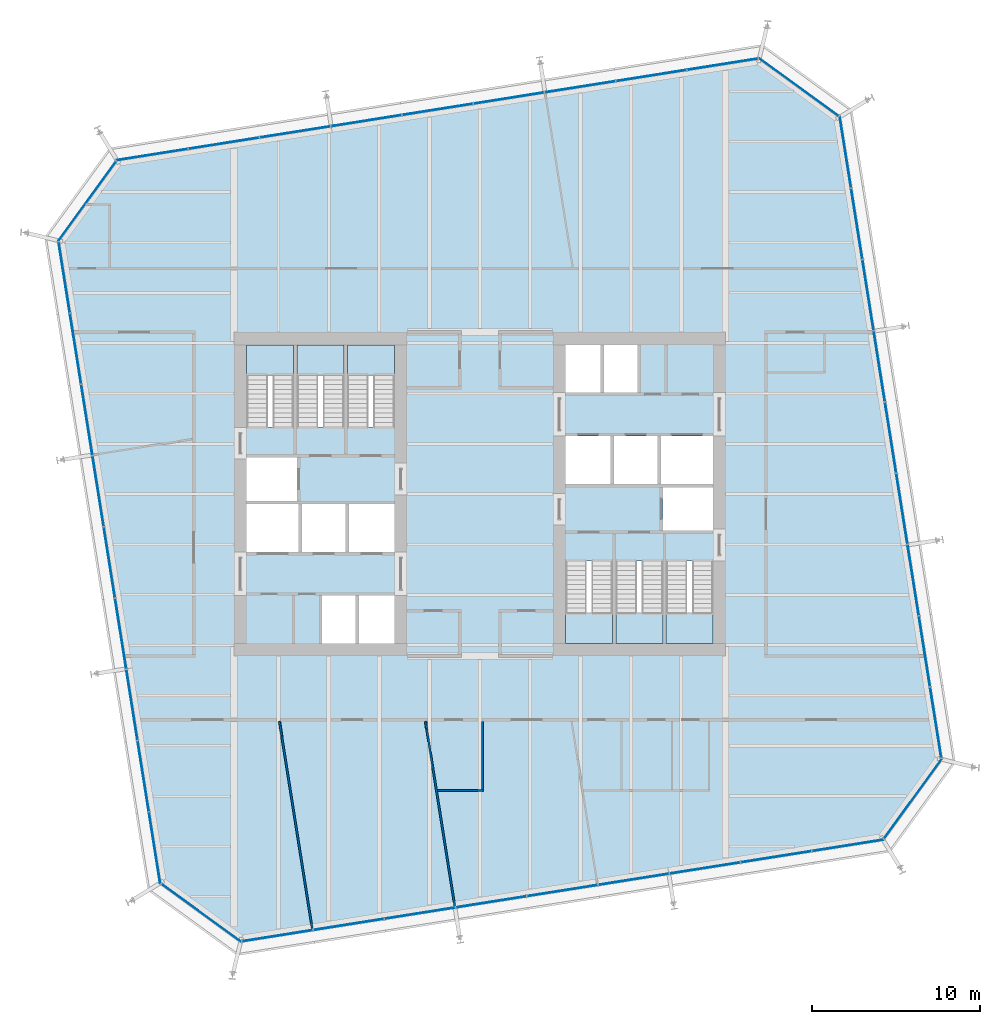
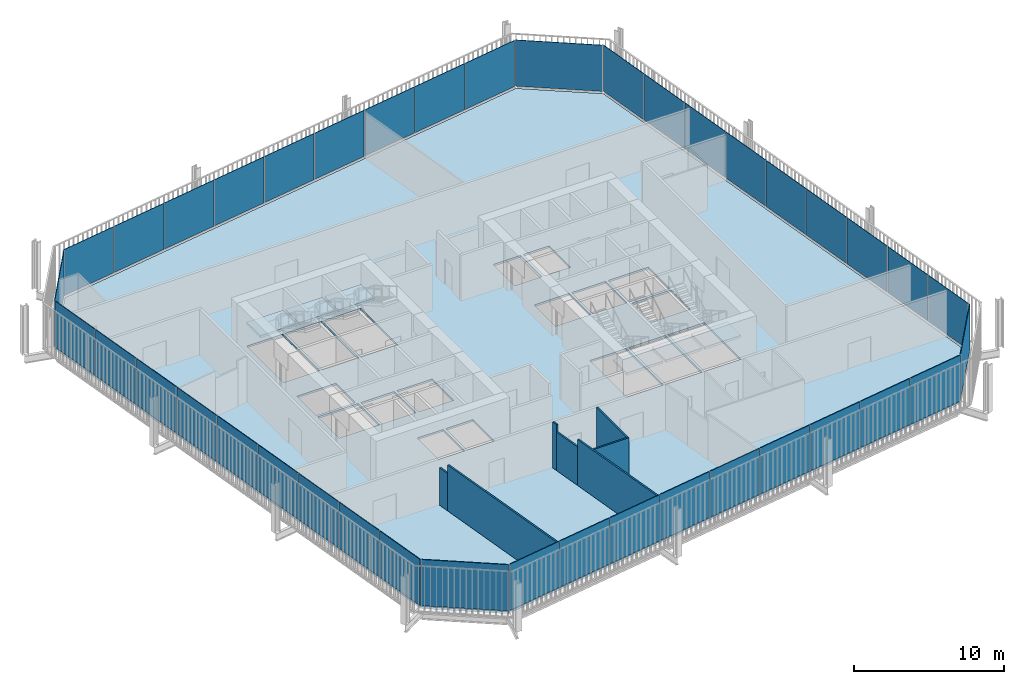
# One storey, part 16 of 21: 40 plates, 7 slabs, 7 walls, 14 elements without a shape of their own.
"""IFC4 building model written with IfcOpenShell, lengths in metres."""

from ifc_helpers import new_model, si_unit, direction, frame, frame_2d, origin, place, context, subcontext, project, spatial, polyline, rectangle, outline, extrude, material, layer, layer_set, type_object, element, aggregate, save


model = new_model("IFC4")

# Units and contexts
model_context = context("Model", 3, precision=1e-05, world=origin(), true_north=direction((0.0, 1.0)))
body_context = subcontext(model_context, "Body", "Model", "MODEL_VIEW")
ifc_project = project(units=[si_unit("LENGTHUNIT", "METRE"), si_unit("AREAUNIT", "SQUARE_METRE"), si_unit("VOLUMEUNIT", "CUBIC_METRE"), si_unit("PLANEANGLEUNIT", "RADIAN"), si_unit("MASSUNIT", "GRAM", prefix="KILO")], contexts=[model_context])

# Site, building, storey
site_placement = place(None, origin())
site = spatial("IfcSite", under=ifc_project, at=site_placement, CompositionType="ELEMENT")
building_placement = place(site_placement, origin())
building = spatial("IfcBuilding", under=site, at=building_placement, Name="Millrace Tower", CompositionType="ELEMENT")
storey_placement = place(building_placement, frame((0.0, 0.0, 141.199951171875)))
storey = spatial("IfcBuildingStorey", under=building, at=storey_placement, Name="L31", CompositionType="ELEMENT", Elevation=141.199951171875)

# Curtain wall, plate
ifc_material_1 = material(Name="Aluminium and glass", Category="aluminium")
ifc_layer_1 = layer(ifc_material_1, 0.14990234375)
ifc_layer_set_1 = layer_set([ifc_layer_1], Name="Aluminium and glass")
curtain_wall_type = type_object("IfcCurtainWallType", Name="CW-1 office vision curtain wall", PredefinedType="NOTDEFINED", material=ifc_layer_set_1)
placement_1 = place(storey_placement, origin())
curtain_wall_1 = element("IfcCurtainWall", 1, at=placement_1, inside=storey, type_object=curtain_wall_type, Name="Curtain wall C-F01 L31", PredefinedType="NOTDEFINED")
ifc_material_2 = material(Name="Glass", Category="glass")
ifc_layer_2 = layer(ifc_material_2, 0.0439453125)
ifc_layer_set_2 = layer_set([ifc_layer_2], Name="Glass")
plate_type = type_object("IfcPlateType", Name="CW-1 office vision curtain wall triple-glazed vision panel", PredefinedType="CURTAIN_PANEL", material=ifc_layer_set_2)
placement_2 = place(storey_placement, frame((0.0, 0.0, 0.14013671875)))
plate_1 = element("IfcPlate", 2, at=placement_2, type_object=plate_type, Name="CW1 panel C-F01.1", PredefinedType="CURTAIN_PANEL", context=body_context, shape_type="SweptSolid", body=[
    extrude(outline(polyline([(-18.988037109375, -23.254638671875), (-14.260009765625, -26.689697265625), (-14.2490234375, -26.6435546875), (-18.962158203125, -23.218994140625), (-18.988037109375, -23.254638671875)])), origin(), (0.0, 0.0, 1.0), 3.760009765625),
])
aggregate(curtain_wall_1, [plate_1])

# Curtain wall, plates
curtain_wall_2 = element("IfcCurtainWall", 3, at=placement_1, inside=storey, type_object=curtain_wall_type, Name="Curtain wall C-F02 L31", PredefinedType="NOTDEFINED")
plate_2 = element("IfcPlate", 4, at=placement_2, type_object=plate_type, Name="CW1 panel C-F02.1", PredefinedType="CURTAIN_PANEL", context=body_context, shape_type="SweptSolid", body=[
    extrude(outline(polyline([(-14.15625, -26.67333984375), (-9.973388671875, -26.0107421875), (-9.980224609375, -25.96728515625), (-14.1630859375, -26.6298828125), (-14.15625, -26.67333984375)])), origin(), (0.0, 0.0, 1.0), 3.760009765625),
])
plate_3 = element("IfcPlate", 5, at=placement_2, type_object=plate_type, Name="CW1 panel C-F02.2", PredefinedType="CURTAIN_PANEL", context=body_context, shape_type="SweptSolid", body=[
    extrude(outline(polyline([(-9.9091796875, -26.000732421875), (-5.726318359375, -25.338134765625), (-5.733154296875, -25.294677734375), (-9.916015625, -25.957275390625), (-9.9091796875, -26.000732421875)])), origin(), (0.0, 0.0, 1.0), 3.760009765625),
])
plate_4 = element("IfcPlate", 6, at=placement_2, type_object=plate_type, Name="CW1 panel C-F02.3", PredefinedType="CURTAIN_PANEL", context=body_context, shape_type="SweptSolid", body=[
    extrude(outline(polyline([(-5.662109375, -25.327880859375), (-1.479248046875, -24.66552734375), (-1.486083984375, -24.6220703125), (-5.6689453125, -25.284423828125), (-5.662109375, -25.327880859375)])), origin(), (0.0, 0.0, 1.0), 3.760009765625),
])
plate_5 = element("IfcPlate", 7, at=placement_2, type_object=plate_type, Name="CW1 panel C-F02.4", PredefinedType="CURTAIN_PANEL", context=body_context, shape_type="SweptSolid", body=[
    extrude(outline(polyline([(-1.4150390625, -24.6552734375), (2.767822265625, -23.992919921875), (2.760986328125, -23.949462890625), (-1.421875, -24.61181640625), (-1.4150390625, -24.6552734375)])), origin(), (0.0, 0.0, 1.0), 3.760009765625),
])
plate_6 = element("IfcPlate", 8, at=placement_2, type_object=plate_type, Name="CW1 panel C-F02.5", PredefinedType="CURTAIN_PANEL", context=body_context, shape_type="SweptSolid", body=[
    extrude(outline(polyline([(2.83203125, -23.982666015625), (7.014892578125, -23.320068359375), (7.008056640625, -23.276611328125), (2.8251953125, -23.939208984375), (2.83203125, -23.982666015625)])), origin(), (0.0, 0.0, 1.0), 3.760009765625),
])
plate_7 = element("IfcPlate", 9, at=placement_2, type_object=plate_type, Name="CW1 panel C-F02.6", PredefinedType="CURTAIN_PANEL", context=body_context, shape_type="SweptSolid", body=[
    extrude(outline(polyline([(7.0791015625, -23.31005859375), (11.261962890625, -22.6474609375), (11.255126953125, -22.60400390625), (7.072265625, -23.2666015625), (7.0791015625, -23.31005859375)])), origin(), (0.0, 0.0, 1.0), 3.760009765625),
])
plate_8 = element("IfcPlate", 10, at=placement_2, type_object=plate_type, Name="CW1 panel C-F02.7", PredefinedType="CURTAIN_PANEL", context=body_context, shape_type="SweptSolid", body=[
    extrude(outline(polyline([(11.326171875, -22.63720703125), (15.509033203125, -21.974853515625), (15.502197265625, -21.931396484375), (11.3193359375, -22.59375), (11.326171875, -22.63720703125)])), origin(), (0.0, 0.0, 1.0), 3.760009765625),
])
plate_9 = element("IfcPlate", 11, at=placement_2, type_object=plate_type, Name="CW1 panel C-F02.8", PredefinedType="CURTAIN_PANEL", context=body_context, shape_type="SweptSolid", body=[
    extrude(outline(polyline([(15.5732421875, -21.964599609375), (19.756103515625, -21.30224609375), (19.749267578125, -21.2587890625), (15.56640625, -21.921142578125), (15.5732421875, -21.964599609375)])), origin(), (0.0, 0.0, 1.0), 3.760009765625),
])
plate_10 = element("IfcPlate", 12, at=placement_2, type_object=plate_type, Name="CW1 panel C-F02.9", PredefinedType="CURTAIN_PANEL", context=body_context, shape_type="SweptSolid", body=[
    extrude(outline(polyline([(19.8203125, -21.2919921875), (24.042724609375, -20.623291015625), (24.01806640625, -20.58251953125), (19.8134765625, -21.24853515625), (19.8203125, -21.2919921875)])), origin(), (0.0, 0.0, 1.0), 3.760009765625),
])
aggregate(curtain_wall_2, [plate_2, plate_3, plate_4, plate_5, plate_6, plate_7, plate_8, plate_9, plate_10])

# Curtain wall, plate
curtain_wall_3 = element("IfcCurtainWall", 13, at=placement_1, inside=storey, type_object=curtain_wall_type, Name="Curtain wall C-F03 L31", PredefinedType="NOTDEFINED")
plate_11 = element("IfcPlate", 14, at=placement_2, type_object=plate_type, Name="CW1 panel C-F03.1", PredefinedType="CURTAIN_PANEL", context=body_context, shape_type="SweptSolid", body=[
    extrude(outline(polyline([(24.104736328125, -20.5380859375), (27.539794921875, -15.81005859375), (27.493408203125, -15.799072265625), (24.069091796875, -20.51220703125), (24.104736328125, -20.5380859375)])), origin(), (0.0, 0.0, 1.0), 3.760009765625),
])
aggregate(curtain_wall_3, [plate_11])

# Curtain wall, plates
curtain_wall_4 = element("IfcCurtainWall", 15, at=placement_1, inside=storey, type_object=curtain_wall_type, Name="Curtain wall C-F04 L31", PredefinedType="NOTDEFINED")
plate_12 = element("IfcPlate", 16, at=placement_2, type_object=plate_type, Name="CW1 panel C-F04.1", PredefinedType="CURTAIN_PANEL", context=body_context, shape_type="SweptSolid", body=[
    extrude(outline(polyline([(27.5234375, -15.706298828125), (26.86083984375, -11.5234375), (26.8173828125, -11.5302734375), (27.47998046875, -15.713134765625), (27.5234375, -15.706298828125)])), origin(), (0.0, 0.0, 1.0), 3.760009765625),
])
plate_13 = element("IfcPlate", 17, at=placement_2, type_object=plate_type, Name="CW1 panel C-F04.2", PredefinedType="CURTAIN_PANEL", context=body_context, shape_type="SweptSolid", body=[
    extrude(outline(polyline([(26.8505859375, -11.459228515625), (26.188232421875, -7.2763671875), (26.144775390625, -7.283203125), (26.80712890625, -11.466064453125), (26.8505859375, -11.459228515625)])), origin(), (0.0, 0.0, 1.0), 3.760009765625),
])
plate_14 = element("IfcPlate", 18, at=placement_2, type_object=plate_type, Name="CW1 panel C-F04.3", PredefinedType="CURTAIN_PANEL", context=body_context, shape_type="SweptSolid", body=[
    extrude(outline(polyline([(26.177978515625, -7.212158203125), (25.515380859375, -3.029296875), (25.471923828125, -3.0361328125), (26.134521484375, -7.218994140625), (26.177978515625, -7.212158203125)])), origin(), (0.0, 0.0, 1.0), 3.760009765625),
])
plate_15 = element("IfcPlate", 19, at=placement_2, type_object=plate_type, Name="CW1 panel C-F04.4", PredefinedType="CURTAIN_PANEL", context=body_context, shape_type="SweptSolid", body=[
    extrude(outline(polyline([(25.50537109375, -2.965087890625), (24.8427734375, 1.2177734375), (24.79931640625, 1.2109375), (25.4619140625, -2.971923828125), (25.50537109375, -2.965087890625)])), origin(), (0.0, 0.0, 1.0), 3.760009765625),
])
plate_16 = element("IfcPlate", 20, at=placement_2, type_object=plate_type, Name="CW1 panel C-F04.5", PredefinedType="CURTAIN_PANEL", context=body_context, shape_type="SweptSolid", body=[
    extrude(outline(polyline([(24.832763671875, 1.281982421875), (24.170166015625, 5.46484375), (24.126708984375, 5.4580078125), (24.789306640625, 1.275146484375), (24.832763671875, 1.281982421875)])), origin(), (0.0, 0.0, 1.0), 3.760009765625),
])
plate_17 = element("IfcPlate", 21, at=placement_2, type_object=plate_type, Name="CW1 panel C-F04.6", PredefinedType="CURTAIN_PANEL", context=body_context, shape_type="SweptSolid", body=[
    extrude(outline(polyline([(24.159912109375, 5.529052734375), (23.49755859375, 9.7119140625), (23.4541015625, 9.705078125), (24.116455078125, 5.522216796875), (24.159912109375, 5.529052734375)])), origin(), (0.0, 0.0, 1.0), 3.760009765625),
])
plate_18 = element("IfcPlate", 22, at=placement_2, type_object=plate_type, Name="CW1 panel C-F04.7", PredefinedType="CURTAIN_PANEL", context=body_context, shape_type="SweptSolid", body=[
    extrude(outline(polyline([(23.4873046875, 9.776123046875), (22.82470703125, 13.958984375), (22.78125, 13.9521484375), (23.44384765625, 9.769287109375), (23.4873046875, 9.776123046875)])), origin(), (0.0, 0.0, 1.0), 3.760009765625),
])
plate_19 = element("IfcPlate", 23, at=placement_2, type_object=plate_type, Name="CW1 panel C-F04.8", PredefinedType="CURTAIN_PANEL", context=body_context, shape_type="SweptSolid", body=[
    extrude(outline(polyline([(22.814697265625, 14.023193359375), (22.152099609375, 18.2060546875), (22.108642578125, 18.19921875), (22.771240234375, 14.016357421875), (22.814697265625, 14.023193359375)])), origin(), (0.0, 0.0, 1.0), 3.760009765625),
])
plate_20 = element("IfcPlate", 24, at=placement_2, type_object=plate_type, Name="CW1 panel C-F04.9", PredefinedType="CURTAIN_PANEL", context=body_context, shape_type="SweptSolid", body=[
    extrude(outline(polyline([(22.14208984375, 18.270263671875), (21.47314453125, 22.492919921875), (21.4326171875, 22.468017578125), (22.0986328125, 18.263427734375), (22.14208984375, 18.270263671875)])), origin(), (0.0, 0.0, 1.0), 3.760009765625),
])
aggregate(curtain_wall_4, [plate_12, plate_13, plate_14, plate_15, plate_16, plate_17, plate_18, plate_19, plate_20])

# Curtain wall, plate
curtain_wall_5 = element("IfcCurtainWall", 25, at=placement_1, inside=storey, type_object=curtain_wall_type, Name="Curtain wall C-F05 L31", PredefinedType="NOTDEFINED")
plate_21 = element("IfcPlate", 26, at=placement_2, type_object=plate_type, Name="CW1 panel C-F05.1", PredefinedType="CURTAIN_PANEL", context=body_context, shape_type="SweptSolid", body=[
    extrude(outline(polyline([(21.38818359375, 22.5546875), (16.66015625, 25.98974609375), (16.64892578125, 25.943359375), (21.3623046875, 22.51904296875), (21.38818359375, 22.5546875)])), origin(), (0.0, 0.0, 1.0), 3.760009765625),
])
aggregate(curtain_wall_5, [plate_21])

# Curtain wall, plates
curtain_wall_6 = element("IfcCurtainWall", 27, at=placement_1, inside=storey, type_object=curtain_wall_type, Name="Curtain wall C-F06 L31", PredefinedType="NOTDEFINED")
plate_22 = element("IfcPlate", 28, at=placement_2, type_object=plate_type, Name="CW1 panel C-F06.1", PredefinedType="CURTAIN_PANEL", context=body_context, shape_type="SweptSolid", body=[
    extrude(outline(polyline([(16.55615234375, 25.973388671875), (12.373291015625, 25.310791015625), (12.380126953125, 25.267333984375), (16.56298828125, 25.929931640625), (16.55615234375, 25.973388671875)])), origin(), (0.0, 0.0, 1.0), 3.760009765625),
])
plate_23 = element("IfcPlate", 29, at=placement_2, type_object=plate_type, Name="CW1 panel C-F06.2", PredefinedType="CURTAIN_PANEL", context=body_context, shape_type="SweptSolid", body=[
    extrude(outline(polyline([(12.30908203125, 25.300537109375), (8.126220703125, 24.63818359375), (8.133056640625, 24.5947265625), (12.31591796875, 25.257080078125), (12.30908203125, 25.300537109375)])), origin(), (0.0, 0.0, 1.0), 3.760009765625),
])
plate_24 = element("IfcPlate", 30, at=placement_2, type_object=plate_type, Name="CW1 panel C-F06.3", PredefinedType="CURTAIN_PANEL", context=body_context, shape_type="SweptSolid", body=[
    extrude(outline(polyline([(8.06201171875, 24.6279296875), (3.879150390625, 23.965576171875), (3.885986328125, 23.922119140625), (8.06884765625, 24.58447265625), (8.06201171875, 24.6279296875)])), origin(), (0.0, 0.0, 1.0), 3.760009765625),
])
plate_25 = element("IfcPlate", 31, at=placement_2, type_object=plate_type, Name="CW1 panel C-F06.4", PredefinedType="CURTAIN_PANEL", context=body_context, shape_type="SweptSolid", body=[
    extrude(outline(polyline([(3.81494140625, 23.955322265625), (-0.367919921875, 23.292724609375), (-0.361083984375, 23.249267578125), (3.82177734375, 23.911865234375), (3.81494140625, 23.955322265625)])), origin(), (0.0, 0.0, 1.0), 3.760009765625),
])
plate_26 = element("IfcPlate", 32, at=placement_2, type_object=plate_type, Name="CW1 panel C-F06.5", PredefinedType="CURTAIN_PANEL", context=body_context, shape_type="SweptSolid", body=[
    extrude(outline(polyline([(-0.43212890625, 23.28271484375), (-4.614990234375, 22.6201171875), (-4.60791015625, 22.57666015625), (-0.42529296875, 23.2392578125), (-0.43212890625, 23.28271484375)])), origin(), (0.0, 0.0, 1.0), 3.760009765625),
])
plate_27 = element("IfcPlate", 33, at=placement_2, type_object=plate_type, Name="CW1 panel C-F06.6", PredefinedType="CURTAIN_PANEL", context=body_context, shape_type="SweptSolid", body=[
    extrude(outline(polyline([(-4.67919921875, 22.60986328125), (-8.862060546875, 21.947509765625), (-8.85498046875, 21.904052734375), (-4.672119140625, 22.56640625), (-4.67919921875, 22.60986328125)])), origin(), (0.0, 0.0, 1.0), 3.760009765625),
])
plate_28 = element("IfcPlate", 34, at=placement_2, type_object=plate_type, Name="CW1 panel C-F06.7", PredefinedType="CURTAIN_PANEL", context=body_context, shape_type="SweptSolid", body=[
    extrude(outline(polyline([(-8.92626953125, 21.937255859375), (-13.109130859375, 21.27490234375), (-13.10205078125, 21.2314453125), (-8.919189453125, 21.893798828125), (-8.92626953125, 21.937255859375)])), origin(), (0.0, 0.0, 1.0), 3.760009765625),
])
plate_29 = element("IfcPlate", 35, at=placement_2, type_object=plate_type, Name="CW1 panel C-F06.8", PredefinedType="CURTAIN_PANEL", context=body_context, shape_type="SweptSolid", body=[
    extrude(outline(polyline([(-13.17333984375, 21.2646484375), (-17.356201171875, 20.60205078125), (-17.34912109375, 20.55859375), (-13.166259765625, 21.22119140625), (-13.17333984375, 21.2646484375)])), origin(), (0.0, 0.0, 1.0), 3.760009765625),
])
plate_30 = element("IfcPlate", 36, at=placement_2, type_object=plate_type, Name="CW1 panel C-F06.9", PredefinedType="CURTAIN_PANEL", context=body_context, shape_type="SweptSolid", body=[
    extrude(outline(polyline([(-17.42041015625, 20.592041015625), (-21.642822265625, 19.923095703125), (-21.617919921875, 19.882568359375), (-17.413330078125, 20.548583984375), (-17.42041015625, 20.592041015625)])), origin(), (0.0, 0.0, 1.0), 3.760009765625),
])
aggregate(curtain_wall_6, [plate_22, plate_23, plate_24, plate_25, plate_26, plate_27, plate_28, plate_29, plate_30])

# Curtain wall, plate
curtain_wall_7 = element("IfcCurtainWall", 37, at=placement_1, inside=storey, type_object=curtain_wall_type, Name="Curtain wall C-F07 L31", PredefinedType="NOTDEFINED")
plate_31 = element("IfcPlate", 38, at=placement_2, type_object=plate_type, Name="CW1 panel C-F07.1", PredefinedType="CURTAIN_PANEL", context=body_context, shape_type="SweptSolid", body=[
    extrude(outline(polyline([(-21.70458984375, 19.838134765625), (-25.139892578125, 15.110107421875), (-25.093505859375, 15.098876953125), (-21.6689453125, 19.812255859375), (-21.70458984375, 19.838134765625)])), origin(), (0.0, 0.0, 1.0), 3.760009765625),
])
aggregate(curtain_wall_7, [plate_31])

# Curtain wall, plates
curtain_wall_8 = element("IfcCurtainWall", 39, at=placement_1, inside=storey, type_object=curtain_wall_type, Name="Curtain wall C-F08 L31", PredefinedType="NOTDEFINED")
plate_32 = element("IfcPlate", 40, at=placement_2, type_object=plate_type, Name="CW1 panel C-F08.1", PredefinedType="CURTAIN_PANEL", context=body_context, shape_type="SweptSolid", body=[
    extrude(outline(polyline([(-25.123291015625, 15.006103515625), (-24.4609375, 10.8232421875), (-24.41748046875, 10.830322265625), (-25.079833984375, 15.01318359375), (-25.123291015625, 15.006103515625)])), origin(), (0.0, 0.0, 1.0), 3.760009765625),
])
plate_33 = element("IfcPlate", 41, at=placement_2, type_object=plate_type, Name="CW1 panel C-F08.2", PredefinedType="CURTAIN_PANEL", context=body_context, shape_type="SweptSolid", body=[
    extrude(outline(polyline([(-24.45068359375, 10.759033203125), (-23.7880859375, 6.576171875), (-23.74462890625, 6.583251953125), (-24.4072265625, 10.76611328125), (-24.45068359375, 10.759033203125)])), origin(), (0.0, 0.0, 1.0), 3.760009765625),
])
plate_34 = element("IfcPlate", 42, at=placement_2, type_object=plate_type, Name="CW1 panel C-F08.3", PredefinedType="CURTAIN_PANEL", context=body_context, shape_type="SweptSolid", body=[
    extrude(outline(polyline([(-23.778076171875, 6.511962890625), (-23.115478515625, 2.3291015625), (-23.072021484375, 2.336181640625), (-23.734619140625, 6.51904296875), (-23.778076171875, 6.511962890625)])), origin(), (0.0, 0.0, 1.0), 3.760009765625),
])
plate_35 = element("IfcPlate", 43, at=placement_2, type_object=plate_type, Name="CW1 panel C-F08.4", PredefinedType="CURTAIN_PANEL", context=body_context, shape_type="SweptSolid", body=[
    extrude(outline(polyline([(-23.105224609375, 2.264892578125), (-22.44287109375, -1.91796875), (-22.3994140625, -1.910888671875), (-23.061767578125, 2.27197265625), (-23.105224609375, 2.264892578125)])), origin(), (0.0, 0.0, 1.0), 3.760009765625),
])
plate_36 = element("IfcPlate", 44, at=placement_2, type_object=plate_type, Name="CW1 panel C-F08.5", PredefinedType="CURTAIN_PANEL", context=body_context, shape_type="SweptSolid", body=[
    extrude(outline(polyline([(-22.4326171875, -1.98193359375), (-21.770263671875, -6.164794921875), (-21.726806640625, -6.157958984375), (-22.38916015625, -1.97509765625), (-22.4326171875, -1.98193359375)])), origin(), (0.0, 0.0, 1.0), 3.760009765625),
])
plate_37 = element("IfcPlate", 45, at=placement_2, type_object=plate_type, Name="CW1 panel C-F08.6", PredefinedType="CURTAIN_PANEL", context=body_context, shape_type="SweptSolid", body=[
    extrude(outline(polyline([(-21.760009765625, -6.22900390625), (-21.097412109375, -10.411865234375), (-21.053955078125, -10.405029296875), (-21.716552734375, -6.22216796875), (-21.760009765625, -6.22900390625)])), origin(), (0.0, 0.0, 1.0), 3.760009765625),
])
plate_38 = element("IfcPlate", 46, at=placement_2, type_object=plate_type, Name="CW1 panel C-F08.7", PredefinedType="CURTAIN_PANEL", context=body_context, shape_type="SweptSolid", body=[
    extrude(outline(polyline([(-21.08740234375, -10.47607421875), (-20.4248046875, -14.658935546875), (-20.38134765625, -14.652099609375), (-21.0439453125, -10.46923828125), (-21.08740234375, -10.47607421875)])), origin(), (0.0, 0.0, 1.0), 3.760009765625),
])
plate_39 = element("IfcPlate", 47, at=placement_2, type_object=plate_type, Name="CW1 panel C-F08.8", PredefinedType="CURTAIN_PANEL", context=body_context, shape_type="SweptSolid", body=[
    extrude(outline(polyline([(-20.41455078125, -14.72314453125), (-19.752197265625, -18.906005859375), (-19.708740234375, -18.899169921875), (-20.37109375, -14.71630859375), (-20.41455078125, -14.72314453125)])), origin(), (0.0, 0.0, 1.0), 3.760009765625),
])
plate_40 = element("IfcPlate", 48, at=placement_2, type_object=plate_type, Name="CW1 panel C-F08.9", PredefinedType="CURTAIN_PANEL", context=body_context, shape_type="SweptSolid", body=[
    extrude(outline(polyline([(-19.741943359375, -18.97021484375), (-19.0732421875, -23.19287109375), (-19.032470703125, -23.16796875), (-19.698486328125, -18.96337890625), (-19.741943359375, -18.97021484375)])), origin(), (0.0, 0.0, 1.0), 3.760009765625),
])
aggregate(curtain_wall_8, [plate_32, plate_33, plate_34, plate_35, plate_36, plate_37, plate_38, plate_39, plate_40])

# Slab
ifc_material_3 = material(Name="Concrete C35 on steel deck", Category="concrete")
ifc_layer_3 = layer(ifc_material_3, 0.159912109375)
ifc_layer_set_3 = layer_set([ifc_layer_3], Name="Concrete C35 on steel deck")
slab_type_1 = type_object("IfcSlabType", Name="Composite floor slab 160 mm", PredefinedType="FLOOR", material=ifc_layer_set_3)
slab_1_placement = place(storey_placement, frame((0.0, 0.0, -0.159912109375)))
element("IfcSlab", 49, at=slab_1_placement, inside=storey, type_object=slab_type_1, Name="SL-C-L31-S1", PredefinedType="FLOOR", context=body_context, shape_type="SweptSolid", body=[
    extrude(outline(polyline([(-18.983642578125, -23.137939453125), (-14.235595703125, -26.587646484375), (23.988037109375, -20.53369140625), (27.437744140625, -15.78564453125), (21.3837890625, 22.43798828125), (16.635498046875, 25.8876953125), (-21.587890625, 19.833740234375), (-25.03759765625, 15.08544921875), (-18.983642578125, -23.137939453125)]), holes=[polyline([(-9.39990234375, -8.89990234375), (-7.39990234375, -8.89990234375), (-7.39990234375, -6.050048828125), (-9.39990234375, -6.050048828125), (-9.39990234375, -8.89990234375)]), polyline([(-7.199951171875, -8.89990234375), (-5.10009765625, -8.89990234375), (-5.10009765625, -6.050048828125), (-7.199951171875, -6.050048828125), (-7.199951171875, -8.89990234375)]), polyline([(-13.89990234375, -3.449951171875), (-10.800048828125, -3.449951171875), (-10.800048828125, -0.60009765625), (-13.89990234375, -0.60009765625), (-13.89990234375, -3.449951171875)]), polyline([(-10.60009765625, -3.449951171875), (-8.0, -3.449951171875), (-8.0, -0.60009765625), (-10.60009765625, -0.60009765625), (-10.60009765625, -3.449951171875)]), polyline([(-7.800048828125, -3.449951171875), (-5.10009765625, -3.449951171875), (-5.10009765625, -0.60009765625), (-7.800048828125, -0.60009765625), (-7.800048828125, -3.449951171875)]), polyline([(-13.89990234375, -0.39990234375), (-10.89990234375, -0.39990234375), (-10.89990234375, 2.179931640625), (-13.89990234375, 2.179931640625), (-13.89990234375, -0.39990234375)]), polyline([(-13.89990234375, 4.0), (-11.10009765625, 4.0), (-11.10009765625, 8.89990234375), (-13.89990234375, 8.89990234375), (-13.89990234375, 4.0)]), polyline([(-10.89990234375, 4.0), (-8.10009765625, 4.0), (-8.10009765625, 8.89990234375), (-10.89990234375, 8.89990234375), (-10.89990234375, 4.0)]), polyline([(-7.89990234375, 4.0), (-5.10009765625, 4.0), (-5.10009765625, 8.89990234375), (-7.89990234375, 8.89990234375), (-7.89990234375, 4.0)]), polyline([(7.39990234375, 6.050048828125), (9.39990234375, 6.050048828125), (9.39990234375, 8.89990234375), (7.39990234375, 8.89990234375), (7.39990234375, 6.050048828125)]), polyline([(5.10009765625, 6.050048828125), (7.199951171875, 6.050048828125), (7.199951171875, 8.89990234375), (5.10009765625, 8.89990234375), (5.10009765625, 6.050048828125)]), polyline([(10.800048828125, 0.60009765625), (13.89990234375, 0.60009765625), (13.89990234375, 3.449951171875), (10.800048828125, 3.449951171875), (10.800048828125, 0.60009765625)]), polyline([(8.0, 0.60009765625), (10.60009765625, 0.60009765625), (10.60009765625, 3.449951171875), (8.0, 3.449951171875), (8.0, 0.60009765625)]), polyline([(5.10009765625, 0.60009765625), (7.800048828125, 0.60009765625), (7.800048828125, 3.449951171875), (5.10009765625, 3.449951171875), (5.10009765625, 0.60009765625)]), polyline([(10.89990234375, -2.179931640625), (13.89990234375, -2.179931640625), (13.89990234375, 0.39990234375), (10.89990234375, 0.39990234375), (10.89990234375, -2.179931640625)]), polyline([(11.10009765625, -8.89990234375), (13.89990234375, -8.89990234375), (13.89990234375, -4.0), (11.10009765625, -4.0), (11.10009765625, -8.89990234375)]), polyline([(8.10009765625, -8.89990234375), (10.89990234375, -8.89990234375), (10.89990234375, -4.0), (8.10009765625, -4.0), (8.10009765625, -8.89990234375)]), polyline([(5.10009765625, -8.89990234375), (7.89990234375, -8.89990234375), (7.89990234375, -4.0), (5.10009765625, -4.0), (5.10009765625, -8.89990234375)])]), origin(), (0.0, 0.0, 1.0), 0.159912109375),
])

# Stair, slab
ifc_material_4 = material(Name="Concrete C35", Category="concrete")
stair_type = type_object("IfcStairType", Name="Exit stair", PredefinedType="HALF_TURN_STAIR", material=ifc_material_4)
stair_1 = element("IfcStair", 50, at=placement_1, inside=storey, type_object=stair_type, Name="Stair 1 W L31", PredefinedType="HALF_TURN_STAIR")
ifc_material_5 = material(Name="Concrete C40", Category="concrete")
ifc_layer_4 = layer(ifc_material_5, 0.199951171875)
ifc_layer_set_4 = layer_set([ifc_layer_4], Name="Concrete C40")
slab_type_2 = type_object("IfcSlabType", Name="Stair landing", PredefinedType="LANDING", material=ifc_layer_set_4)
placement_3 = place(storey_placement, frame((0.0, 0.0, 1.75)))
slab_2 = element("IfcSlab", 51, at=placement_3, type_object=slab_type_2, Name="ST12 landing 1", PredefinedType="LANDING", context=body_context, shape_type="SweptSolid", body=[
    extrude(outline(polyline([(-13.89990234375, 7.080078125), (-11.10009765625, 7.080078125), (-11.10009765625, 8.89990234375), (-13.89990234375, 8.89990234375), (-13.89990234375, 7.080078125)])), origin(), (0.0, 0.0, 1.0), 0.199951171875),
])
aggregate(stair_1, [slab_2])

stair_2 = element("IfcStair", 52, at=placement_1, inside=storey, type_object=stair_type, Name="Stair 2 W L31", PredefinedType="HALF_TURN_STAIR")
slab_3 = element("IfcSlab", 53, at=placement_3, type_object=slab_type_2, Name="ST12 landing 1", PredefinedType="LANDING", context=body_context, shape_type="SweptSolid", body=[
    extrude(outline(polyline([(-10.89990234375, 7.080078125), (-8.10009765625, 7.080078125), (-8.10009765625, 8.89990234375), (-10.89990234375, 8.89990234375), (-10.89990234375, 7.080078125)])), origin(), (0.0, 0.0, 1.0), 0.199951171875),
])
aggregate(stair_2, [slab_3])

stair_3 = element("IfcStair", 54, at=placement_1, inside=storey, type_object=stair_type, Name="Stair 3 W L31", PredefinedType="HALF_TURN_STAIR")
slab_4 = element("IfcSlab", 55, at=placement_3, type_object=slab_type_2, Name="ST12 landing 1", PredefinedType="LANDING", context=body_context, shape_type="SweptSolid", body=[
    extrude(outline(polyline([(-7.89990234375, 7.080078125), (-5.10009765625, 7.080078125), (-5.10009765625, 8.89990234375), (-7.89990234375, 8.89990234375), (-7.89990234375, 7.080078125)])), origin(), (0.0, 0.0, 1.0), 0.199951171875),
])
aggregate(stair_3, [slab_4])

stair_4 = element("IfcStair", 56, at=placement_1, inside=storey, type_object=stair_type, Name="Stair 1 E L31", PredefinedType="HALF_TURN_STAIR")
slab_5 = element("IfcSlab", 57, at=placement_3, type_object=slab_type_2, Name="ST12 landing 1", PredefinedType="LANDING", context=body_context, shape_type="SweptSolid", body=[
    extrude(outline(polyline([(11.10009765625, -8.89990234375), (13.89990234375, -8.89990234375), (13.89990234375, -7.080078125), (11.10009765625, -7.080078125), (11.10009765625, -8.89990234375)])), origin(), (0.0, 0.0, 1.0), 0.199951171875),
])
aggregate(stair_4, [slab_5])

stair_5 = element("IfcStair", 58, at=placement_1, inside=storey, type_object=stair_type, Name="Stair 2 E L31", PredefinedType="HALF_TURN_STAIR")
slab_6 = element("IfcSlab", 59, at=placement_3, type_object=slab_type_2, Name="ST12 landing 1", PredefinedType="LANDING", context=body_context, shape_type="SweptSolid", body=[
    extrude(outline(polyline([(8.10009765625, -8.89990234375), (10.89990234375, -8.89990234375), (10.89990234375, -7.080078125), (8.10009765625, -7.080078125), (8.10009765625, -8.89990234375)])), origin(), (0.0, 0.0, 1.0), 0.199951171875),
])
aggregate(stair_5, [slab_6])

stair_6 = element("IfcStair", 60, at=placement_1, inside=storey, type_object=stair_type, Name="Stair 3 E L31", PredefinedType="HALF_TURN_STAIR")
slab_7 = element("IfcSlab", 61, at=placement_3, type_object=slab_type_2, Name="ST12 landing 1", PredefinedType="LANDING", context=body_context, shape_type="SweptSolid", body=[
    extrude(outline(polyline([(5.10009765625, -8.89990234375), (7.89990234375, -8.89990234375), (7.89990234375, -7.080078125), (5.10009765625, -7.080078125), (5.10009765625, -8.89990234375)])), origin(), (0.0, 0.0, 1.0), 0.199951171875),
])
aggregate(stair_6, [slab_7])

# Walls
ifc_material_6 = material(Name="Gypsum board partition")
ifc_layer_5 = layer(ifc_material_6, 0.1201171875)
ifc_layer_set_5 = layer_set([ifc_layer_5], Name="Gypsum board partition")
wall_type = type_object("IfcWallType", Name="Partition wall 120", PredefinedType="PARTITIONING", material=ifc_layer_set_5)
wall_1_placement = place(storey_placement, frame((-11.947265625, -13.548828125, 0.0), z_axis=(0.0, 0.0, 1.0), x_axis=(0.15631155546, -0.987707799721, 0.0)))
element("IfcWall", 62, at=wall_1_placement, inside=storey, type_object=wall_type, Name="Partition wall L31", PredefinedType="PARTITIONING", context=body_context, shape_type="SweptSolid", body=[
    extrude(rectangle(XDim=0.862060546875, YDim=0.1201171875, at=frame_2d((0.43115234375, 0.0))), origin(), (0.0, 0.0, 1.0), 3.046630859375),
])
wall_2_placement = place(storey_placement, frame((-11.8125, -14.400390625, 0.0), z_axis=(0.0, 0.0, 1.0), x_axis=(0.156430221344, -0.987689012721, 0.0)))
element("IfcWall", 63, at=wall_2_placement, inside=storey, type_object=wall_type, Name="Partition wall L31", PredefinedType="PARTITIONING", context=body_context, shape_type="SweptSolid", body=[
    extrude(rectangle(XDim=11.68798828125, YDim=0.1201171875, at=frame_2d((5.843994140625, 0.0))), origin(), (0.0, 0.0, 1.0), 3.739990234375),
])
wall_3_placement = place(storey_placement, frame((-3.240234375, -13.548828125, 0.0), z_axis=(0.0, 0.0, 1.0), x_axis=(0.15660825182, -0.9876607998, 0.0)))
element("IfcWall", 64, at=wall_3_placement, inside=storey, type_object=wall_type, Name="Partition wall L31", PredefinedType="PARTITIONING", context=body_context, shape_type="SweptSolid", body=[
    extrude(rectangle(XDim=0.42724609375, YDim=0.1201171875, at=frame_2d((0.213623046875, 0.0))), origin(), (0.0, 0.0, 1.0), 3.739990234375),
])
wall_4_placement = place(storey_placement, frame((-3.17333984375, -13.970703125, 0.0), z_axis=(0.0, 0.0, 1.0), x_axis=(0.156528601046, -0.987673426318, 0.0)))
element("IfcWall", 65, at=wall_4_placement, inside=storey, type_object=wall_type, Name="Partition wall L31", PredefinedType="PARTITIONING", context=body_context, shape_type="SweptSolid", body=[
    extrude(rectangle(XDim=2.21484375, YDim=0.1201171875, at=frame_2d((1.107421875, 0.0))), origin(), (0.0, 0.0, 1.0), 3.133056640625),
])
wall_5_placement = place(storey_placement, frame((-2.82666015625, -16.158203125, 0.0), z_axis=(0.0, 0.0, 1.0), x_axis=(0.156629989726, -0.987657352688, 0.0)))
element("IfcWall", 66, at=wall_5_placement, inside=storey, type_object=wall_type, Name="Partition wall L31", PredefinedType="PARTITIONING", context=body_context, shape_type="SweptSolid", body=[
    extrude(rectangle(XDim=8.54638671875, YDim=0.1201171875, at=frame_2d((4.273193359375, 0.0))), origin(), (0.0, 0.0, 1.0), 3.739990234375),
])
wall_6_placement = place(storey_placement, frame((-2.530029296875, -17.64990234375, 0.0), z_axis=(0.0, 0.0, 1.0), x_axis=(1.0, 0.0, 0.0)))
element("IfcWall", 67, at=wall_6_placement, inside=storey, type_object=wall_type, Name="Partition wall L31", PredefinedType="PARTITIONING", context=body_context, shape_type="SweptSolid", body=[
    extrude(rectangle(XDim=2.734130859375, YDim=0.1201171875, at=frame_2d((1.3671875, 0.0))), origin(), (0.0, 0.0, 1.0), 3.739990234375),
])
wall_7_placement = place(storey_placement, frame((0.14404296875, -17.590087890625, 0.0), z_axis=(0.0, 0.0, 1.0), x_axis=(0.0, 1.0, 0.0)))
element("IfcWall", 68, at=wall_7_placement, inside=storey, type_object=wall_type, Name="Partition wall L31", PredefinedType="PARTITIONING", context=body_context, shape_type="SweptSolid", body=[
    extrude(rectangle(XDim=4.0400390625, YDim=0.1201171875, at=frame_2d((2.02001953125, 0.0))), origin(), (0.0, 0.0, 1.0), 3.739990234375),
])

save(model, "model.ifc")
